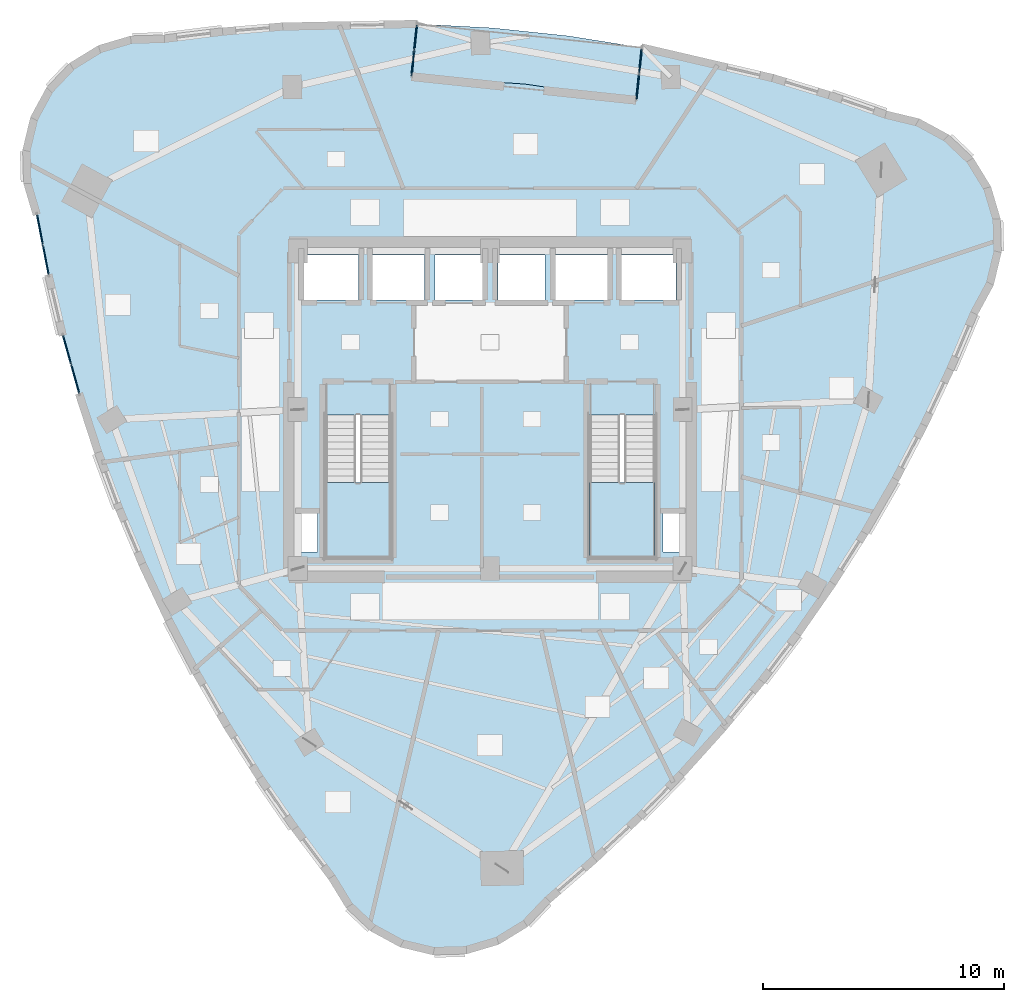
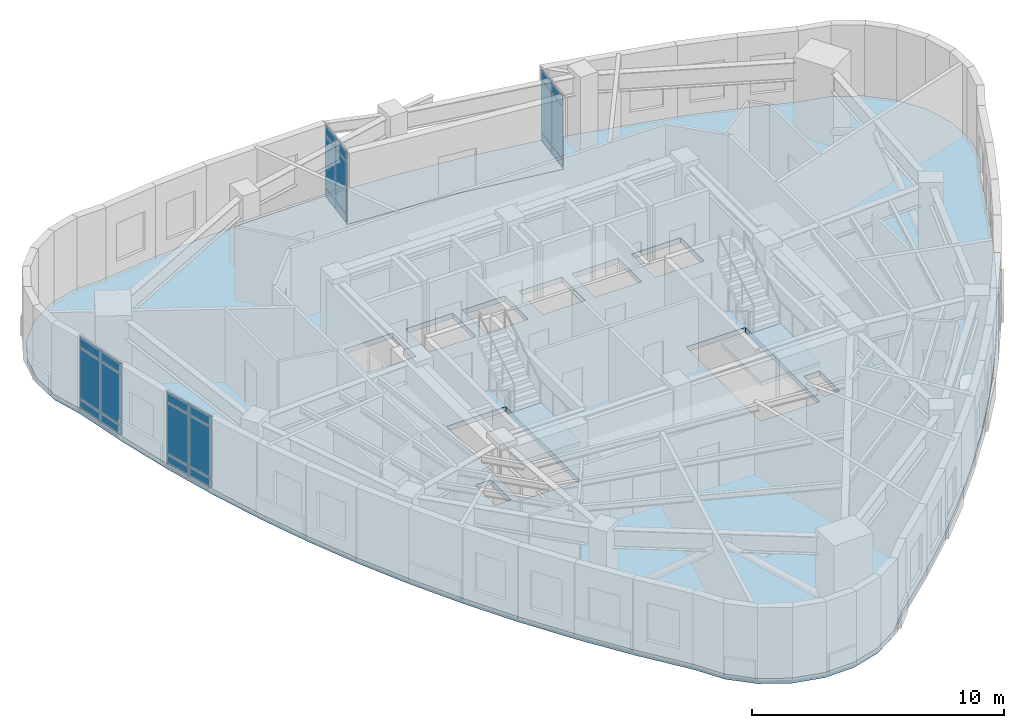
# One storey, part 8 of 16: 24 plates, 4 slabs, 6 elements without a shape of their own.
"""IFC4 building model written with IfcOpenShell, lengths in metres."""

import ifcopenshell
import ifcopenshell.guid

model = None  # the IFC model being written
_history = None  # IfcOwnerHistory: only IFC2X3 demands one
_inside = {}  # id of a spatial element -> (the spatial element, [elements in it])
_under = {}  # id of a project, library or spatial element -> (it, [spatial elements below it])
_declared = {}  # id of a project -> (the project, [libraries it declares])
_typed = {}  # id of a type object -> (the type object, [elements of that type])
_made_of = {}  # id of a material, layer set ... -> (it, [elements and type objects made of it])


def new_model(schema):
    """Start an empty IFC model of exactly this schema.

    Asked for "IFC4X3", IfcOpenShell would pick the latest addendum, in which some entities
    have other attributes; the version numbers below select the first issue.
    IFC2X3 requires an IfcOwnerHistory on every rooted entity: one is made here for all.
    """
    global model, _history
    if schema == "IFC4X3":
        model = ifcopenshell.file(schema_version=(4, 3, 0, 0))
    else:
        model = ifcopenshell.file(schema=schema)
    _inside.clear()
    _under.clear()
    _declared.clear()
    _typed.clear()
    _made_of.clear()
    _history = None
    if model.schema == "IFC2X3":
        org = make("IfcOrganization", Name="unknown")
        user = make(
            "IfcPersonAndOrganization",
            ThePerson=make("IfcPerson", FamilyName="unknown"),
            TheOrganization=org,
        )
        app = make(
            "IfcApplication",
            ApplicationDeveloper=org,
            Version="unknown",
            ApplicationFullName="unknown",
            ApplicationIdentifier="unknown",
        )
        _history = make(
            "IfcOwnerHistory",
            OwningUser=user,
            OwningApplication=app,
            ChangeAction="ADDED",
            CreationDate=0,
        )
    return model


def make(cls, **values):
    """One entity of the class cls with the attributes given. An attribute that is None is left unset."""
    return model.create_entity(
        cls, **{name: value for name, value in values.items() if value is not None}
    )


def rooted(cls, **values):
    """An entity with a GlobalId (a new one), such as an element, a storey or a relation."""
    return make(cls, GlobalId=ifcopenshell.guid.new(), OwnerHistory=_history, **values)


def si_unit(unit_type, name, prefix=None):
    """IfcSIUnit, for example si_unit("LENGTHUNIT", "METRE", prefix="MILLI")."""
    return make("IfcSIUnit", UnitType=unit_type, Prefix=prefix, Name=name)


def assignment(units):
    """IfcUnitAssignment: the units of a project."""
    return None if units is None else make("IfcUnitAssignment", Units=units)


def point(xyz):
    """IfcCartesianPoint."""
    return None if xyz is None else make("IfcCartesianPoint", Coordinates=xyz)


def direction(xyz):
    """IfcDirection."""
    return None if xyz is None else make("IfcDirection", DirectionRatios=xyz)


def frame(location, z_axis=None, x_axis=None):
    """IfcAxis2Placement3D, a coordinate frame: its origin and axes. An axis left out is left unset."""
    return make(
        "IfcAxis2Placement3D",
        Location=point(location),
        Axis=direction(z_axis),
        RefDirection=direction(x_axis),
    )


def frame_2d(location, x_axis=None):
    """IfcAxis2Placement2D, a coordinate frame in the plane: its origin and x axis."""
    return make(
        "IfcAxis2Placement2D", Location=point(location), RefDirection=direction(x_axis)
    )


def origin():
    """The frame at (0, 0, 0) with its axes left unset."""
    return frame((0.0, 0.0, 0.0))


def origin_2d():
    """The frame at (0, 0) in the plane with its x axis left unset."""
    return frame_2d((0.0, 0.0))


def place(relative_to, where):
    """IfcLocalPlacement: puts the frame where relative to a parent placement (None: the world)."""
    return make(
        "IfcLocalPlacement", PlacementRelTo=relative_to, RelativePlacement=where
    )


def context(
    kind, dimensions, precision=None, world=None, true_north=None, identifier=None
):
    """IfcGeometricRepresentationContext, for example the 3D "Model" context."""
    return make(
        "IfcGeometricRepresentationContext",
        ContextIdentifier=identifier,
        ContextType=kind,
        CoordinateSpaceDimension=dimensions,
        Precision=precision,
        WorldCoordinateSystem=world,
        TrueNorth=true_north,
    )


def subcontext(parent, identifier, kind, view, scale=None):
    """IfcGeometricRepresentationSubContext, for example "Body" below "Model"."""
    return make(
        "IfcGeometricRepresentationSubContext",
        ContextIdentifier=identifier,
        ContextType=kind,
        ParentContext=parent,
        TargetScale=scale,
        TargetView=view,
    )


def project(units=None, contexts=None):
    """IfcProject with its units and contexts."""
    return rooted(
        "IfcProject",
        Name="project",
        RepresentationContexts=contexts,
        UnitsInContext=assignment(units),
    )


def spatial(cls, under=None, at=None, **own):
    """A site, building, storey or space (cls), placed at a placement, below another one or the project."""
    s = rooted(cls, ObjectPlacement=at, **own)
    if under is not None:
        _under.setdefault(under.id(), (under, []))[1].append(s)
    return s


def polyline(points):
    """IfcPolyline through the points."""
    return make("IfcPolyline", Points=[point(p) for p in points])


def profile(cls, at=None, kind="AREA", **sizes):
    """A parametric profile (cls). Its sizes go by their IFC names, for example OverallWidth=200.0."""
    return make(cls, ProfileType=kind, Position=at, **sizes)


def rectangle(**sizes):
    """IfcRectangleProfileDef."""
    return profile("IfcRectangleProfileDef", **sizes)


def outline(outer, holes=None, kind="AREA"):
    """IfcArbitraryClosedProfileDef: a profile drawn as a closed curve; with holes, ...WithVoids."""
    if holes is None:
        return make("IfcArbitraryClosedProfileDef", ProfileType=kind, OuterCurve=outer)
    return make(
        "IfcArbitraryProfileDefWithVoids",
        ProfileType=kind,
        OuterCurve=outer,
        InnerCurves=holes,
    )


def extrude(swept, where, along, depth):
    """IfcExtrudedAreaSolid: the profile swept, set in the frame where, extruded along a direction by depth."""
    return make(
        "IfcExtrudedAreaSolid",
        SweptArea=swept,
        Position=where,
        ExtrudedDirection=direction(along),
        Depth=depth,
    )


def shape(context_of_items, identifier, shape_type, items):
    """IfcShapeRepresentation: the items that make up one representation, for example the "Body"."""
    return make(
        "IfcShapeRepresentation",
        ContextOfItems=context_of_items,
        RepresentationIdentifier=identifier,
        RepresentationType=shape_type,
        Items=items,
    )


def material(Name=None, Category=None):
    """IfcMaterial."""
    return make("IfcMaterial", Name=Name, Category=Category)


def layer(
    of_material, thickness, ventilated=None, Name=None, Category=None, Priority=None
):
    """IfcMaterialLayer: one layer of a wall or slab, of a material (None: an air gap)."""
    return make(
        "IfcMaterialLayer",
        Material=of_material,
        LayerThickness=thickness,
        IsVentilated=ventilated,
        Name=Name,
        Category=Category,
        Priority=Priority,
    )


def layer_set(layers, Name=None):
    """IfcMaterialLayerSet."""
    return make("IfcMaterialLayerSet", MaterialLayers=layers, LayerSetName=Name)


def made_of(thing, what):
    """Note that an element or type object is made of a material, layer set ...; save() writes the relation."""
    if what is not None:
        _made_of.setdefault(what.id(), (what, []))[1].append(thing)
    return thing


def type_object(cls, material=None, **own):
    """A type object (cls), such as IfcWallType, which elements share."""
    return made_of(rooted(cls, **own), material)


def element(
    cls,
    number,
    at=None,
    inside=None,
    cuts=None,
    type_object=None,
    material=None,
    context=None,
    identifier="Body",
    shape_type=None,
    held_by="IfcProductDefinitionShape",
    body=None,
    shapes=None,
    **own,
):
    """One element of the class cls, such as IfcWall. Its Tag is "e" and its number.

    at: its placement. inside: the storey or other place that contains it. cuts: it is an
    opening in that element (IfcRelVoidsElement). A single representation is given by context,
    identifier, shape_type and body (its items); several are given by shapes. held_by: the class
    of the entity that holds the representations. save() writes the other relations.
    """
    e = rooted(cls, Tag="e%d" % number, ObjectPlacement=at, **own)
    if body is not None:
        shapes = [shape(context, identifier, shape_type, body)]
    if shapes is not None:
        e.Representation = make(held_by, Representations=shapes)
    if inside is not None:
        _inside.setdefault(inside.id(), (inside, []))[1].append(e)
    if cuts is not None:
        rooted(
            "IfcRelVoidsElement", RelatingBuildingElement=cuts, RelatedOpeningElement=e
        )
    if type_object is not None:
        _typed.setdefault(type_object.id(), (type_object, []))[1].append(e)
    return made_of(e, material)


def aggregate(whole, parts):
    """IfcRelAggregates: a whole, such as a stair, and the parts it consists of."""
    return rooted("IfcRelAggregates", RelatingObject=whole, RelatedObjects=parts)


def save(model, path):
    """Write the relations noted so far, then the file.

    IfcRelAggregates (storeys below a building ...), IfcRelContainedInSpatialStructure (elements
    in a storey), IfcRelDefinesByType, IfcRelAssociatesMaterial and IfcRelDeclares: one each for
    every whole, place, type object, material and project.
    """
    for whole, parts in _under.values():
        aggregate(whole, parts)
    for where, things in _inside.values():
        rooted(
            "IfcRelContainedInSpatialStructure",
            RelatedElements=things,
            RelatingStructure=where,
        )
    for kind, things in _typed.values():
        rooted("IfcRelDefinesByType", RelatedObjects=things, RelatingType=kind)
    for what, things in _made_of.values():
        rooted("IfcRelAssociatesMaterial", RelatedObjects=things, RelatingMaterial=what)
    for by, libraries in _declared.values():
        rooted("IfcRelDeclares", RelatingContext=by, RelatedDefinitions=libraries)
    model.write(path)


model = new_model("IFC4")

# Units and contexts
model_context = context("Model", 3, precision=1e-05, world=origin(), true_north=direction((0.0, 1.0)))
body_context = subcontext(model_context, "Body", "Model", "MODEL_VIEW")
ifc_project = project(units=[si_unit("LENGTHUNIT", "METRE"), si_unit("AREAUNIT", "SQUARE_METRE"), si_unit("VOLUMEUNIT", "CUBIC_METRE"), si_unit("PLANEANGLEUNIT", "RADIAN"), si_unit("MASSUNIT", "GRAM", prefix="KILO")], contexts=[model_context])

# Site, building, storey
site_placement = place(None, origin())
site = spatial("IfcSite", under=ifc_project, at=site_placement, CompositionType="ELEMENT")
building_placement = place(site_placement, origin())
building = spatial("IfcBuilding", under=site, at=building_placement, Name="Ndelora Gate Hotel", CompositionType="ELEMENT")
storey_placement = place(building_placement, frame((0.0, 0.0, 182.75)))
storey = spatial("IfcBuildingStorey", under=building, at=storey_placement, Name="L45", CompositionType="ELEMENT", Elevation=182.75)

# Curtain wall, plates
ifc_material_1 = material(Name="Bronze Anodised Unitised Aluminium and Low-E Glass", Category="aluminium")
ifc_layer_1 = layer(ifc_material_1, 0.199951171875)
ifc_layer_set_1 = layer_set([ifc_layer_1], Name="Bronze Anodised Unitised Aluminium and Low-E Glass")
curtain_wall_type_1 = type_object("IfcCurtainWallType", Name="CW-SYS-3", PredefinedType="NOTDEFINED", material=ifc_layer_set_1)
curtain_wall_1_placement = place(storey_placement, origin())
curtain_wall_1 = element("IfcCurtainWall", 1, at=curtain_wall_1_placement, inside=storey, type_object=curtain_wall_type_1, Name="L45 Sky-Garden Loggia Side Curtain Wall CW3-1", PredefinedType="NOTDEFINED")
ifc_material_2 = material(Name="Solar-Control Low-E Insulated Glazing", Category="glass")
ifc_layer_2 = layer(ifc_material_2, 0.048095703125)
ifc_layer_set_2 = layer_set([ifc_layer_2], Name="Solar-Control Low-E Insulated Glazing")
plate_type = type_object("IfcPlateType", Name="PL-CW-GLZ36", PredefinedType="CURTAIN_PANEL", material=ifc_layer_set_2)
plate_1_placement = place(storey_placement, frame((6.13720703125, 13.42822265625, 0.05908203125), z_axis=(0.0, 0.0, 1.0), x_axis=(0.104497862459, 0.994525111167, 0.0)))
plate_1 = element("IfcPlate", 2, at=plate_1_placement, type_object=plate_type, Name="CW3 panel 1.1", PredefinedType="CURTAIN_PANEL", context=body_context, shape_type="SweptSolid", body=[
    extrude(rectangle(XDim=1.014404296875, YDim=0.048095703125, at=origin_2d()), origin(), (0.0, 0.0, 1.0), 0.364501953125),
])
plate_2_placement = place(storey_placement, frame((6.13720703125, 13.42822265625, 0.4765625), z_axis=(0.0, 0.0, 1.0), x_axis=(0.104497862459, 0.994525111167, 0.0)))
plate_2 = element("IfcPlate", 3, at=plate_2_placement, type_object=plate_type, Name="CW3 panel 1.2", PredefinedType="CURTAIN_PANEL", context=body_context, shape_type="SweptSolid", body=[
    extrude(rectangle(XDim=1.014404296875, YDim=0.048095703125, at=origin_2d()), origin(), (0.0, 0.0, 1.0), 2.4970703125),
])
plate_3_placement = place(storey_placement, frame((6.13720703125, 13.42822265625, 3.0263671875), z_axis=(0.0, 0.0, 1.0), x_axis=(0.104497862459, 0.994525111167, 0.0)))
plate_3 = element("IfcPlate", 4, at=plate_3_placement, type_object=plate_type, Name="CW3 panel 1.3", PredefinedType="CURTAIN_PANEL", context=body_context, shape_type="SweptSolid", body=[
    extrude(rectangle(XDim=1.014404296875, YDim=0.048095703125, at=origin_2d()), origin(), (0.0, 0.0, 1.0), 0.464599609375),
])
plate_4_placement = place(storey_placement, frame((6.248779296875, 14.48974609375, 0.05908203125), z_axis=(0.0, 0.0, 1.0), x_axis=(0.104497862459, 0.994525111167, 0.0)))
plate_4 = element("IfcPlate", 5, at=plate_4_placement, type_object=plate_type, Name="CW3 panel 2.1", PredefinedType="CURTAIN_PANEL", context=body_context, shape_type="SweptSolid", body=[
    extrude(rectangle(XDim=1.014404296875, YDim=0.048095703125, at=origin_2d()), origin(), (0.0, 0.0, 1.0), 0.364501953125),
])
plate_5_placement = place(storey_placement, frame((6.248779296875, 14.48974609375, 0.4765625), z_axis=(0.0, 0.0, 1.0), x_axis=(0.104497862459, 0.994525111167, 0.0)))
plate_5 = element("IfcPlate", 6, at=plate_5_placement, type_object=plate_type, Name="CW3 panel 2.2", PredefinedType="CURTAIN_PANEL", context=body_context, shape_type="SweptSolid", body=[
    extrude(rectangle(XDim=1.014404296875, YDim=0.048095703125, at=origin_2d()), origin(), (0.0, 0.0, 1.0), 2.4970703125),
])
plate_6_placement = place(storey_placement, frame((6.248779296875, 14.48974609375, 3.0263671875), z_axis=(0.0, 0.0, 1.0), x_axis=(0.104497862459, 0.994525111167, 0.0)))
plate_6 = element("IfcPlate", 7, at=plate_6_placement, type_object=plate_type, Name="CW3 panel 2.3", PredefinedType="CURTAIN_PANEL", context=body_context, shape_type="SweptSolid", body=[
    extrude(rectangle(XDim=1.014404296875, YDim=0.048095703125, at=origin_2d()), origin(), (0.0, 0.0, 1.0), 0.464599609375),
])
aggregate(curtain_wall_1, [plate_1, plate_2, plate_3, plate_4, plate_5, plate_6])

curtain_wall_2_placement = place(storey_placement, origin())
curtain_wall_2 = element("IfcCurtainWall", 8, at=curtain_wall_2_placement, inside=storey, type_object=curtain_wall_type_1, Name="L45 Sky-Garden Loggia Side Curtain Wall CW3-2", PredefinedType="NOTDEFINED")
plate_7_placement = place(storey_placement, frame((-3.099609375, 15.472412109375, 0.05908203125), z_axis=(0.0, 0.0, 1.0), x_axis=(-0.104497862459, -0.994525111167, 0.0)))
plate_7 = element("IfcPlate", 9, at=plate_7_placement, type_object=plate_type, Name="CW3 panel 1.1", PredefinedType="CURTAIN_PANEL", context=body_context, shape_type="SweptSolid", body=[
    extrude(rectangle(XDim=1.014404296875, YDim=0.048095703125, at=origin_2d()), origin(), (0.0, 0.0, 1.0), 0.364501953125),
])
plate_8_placement = place(storey_placement, frame((-3.099609375, 15.472412109375, 0.4765625), z_axis=(0.0, 0.0, 1.0), x_axis=(-0.104497862459, -0.994525111167, 0.0)))
plate_8 = element("IfcPlate", 10, at=plate_8_placement, type_object=plate_type, Name="CW3 panel 1.2", PredefinedType="CURTAIN_PANEL", context=body_context, shape_type="SweptSolid", body=[
    extrude(rectangle(XDim=1.014404296875, YDim=0.048095703125, at=origin_2d()), origin(), (0.0, 0.0, 1.0), 2.4970703125),
])
plate_9_placement = place(storey_placement, frame((-3.099609375, 15.472412109375, 3.0263671875), z_axis=(0.0, 0.0, 1.0), x_axis=(-0.104497862459, -0.994525111167, 0.0)))
plate_9 = element("IfcPlate", 11, at=plate_9_placement, type_object=plate_type, Name="CW3 panel 1.3", PredefinedType="CURTAIN_PANEL", context=body_context, shape_type="SweptSolid", body=[
    extrude(rectangle(XDim=1.014404296875, YDim=0.048095703125, at=origin_2d()), origin(), (0.0, 0.0, 1.0), 0.464599609375),
])
plate_10_placement = place(storey_placement, frame((-3.211181640625, 14.41064453125, 0.05908203125), z_axis=(0.0, 0.0, 1.0), x_axis=(-0.104497862459, -0.994525111167, 0.0)))
plate_10 = element("IfcPlate", 12, at=plate_10_placement, type_object=plate_type, Name="CW3 panel 2.1", PredefinedType="CURTAIN_PANEL", context=body_context, shape_type="SweptSolid", body=[
    extrude(rectangle(XDim=1.014404296875, YDim=0.048095703125, at=origin_2d()), origin(), (0.0, 0.0, 1.0), 0.364501953125),
])
plate_11_placement = place(storey_placement, frame((-3.211181640625, 14.41064453125, 0.4765625), z_axis=(0.0, 0.0, 1.0), x_axis=(-0.104497862459, -0.994525111167, 0.0)))
plate_11 = element("IfcPlate", 13, at=plate_11_placement, type_object=plate_type, Name="CW3 panel 2.2", PredefinedType="CURTAIN_PANEL", context=body_context, shape_type="SweptSolid", body=[
    extrude(rectangle(XDim=1.014404296875, YDim=0.048095703125, at=origin_2d()), origin(), (0.0, 0.0, 1.0), 2.4970703125),
])
plate_12_placement = place(storey_placement, frame((-3.211181640625, 14.41064453125, 3.0263671875), z_axis=(0.0, 0.0, 1.0), x_axis=(-0.104497862459, -0.994525111167, 0.0)))
plate_12 = element("IfcPlate", 14, at=plate_12_placement, type_object=plate_type, Name="CW3 panel 2.3", PredefinedType="CURTAIN_PANEL", context=body_context, shape_type="SweptSolid", body=[
    extrude(rectangle(XDim=1.014404296875, YDim=0.048095703125, at=origin_2d()), origin(), (0.0, 0.0, 1.0), 0.464599609375),
])
aggregate(curtain_wall_2, [plate_7, plate_8, plate_9, plate_10, plate_11, plate_12])

ifc_layer_3 = layer(ifc_material_1, 0.2099609375)
ifc_layer_set_3 = layer_set([ifc_layer_3], Name="Bronze Anodised Unitised Aluminium and Low-E Glass")
curtain_wall_type_2 = type_object("IfcCurtainWallType", Name="CW-SYS-5", PredefinedType="NOTDEFINED", material=ifc_layer_set_3)
curtain_wall_3_placement = place(storey_placement, origin())
curtain_wall_3 = element("IfcCurtainWall", 15, at=curtain_wall_3_placement, inside=storey, type_object=curtain_wall_type_2, Name="L45 Upper Sky-Lobby & Altitude Fitness Curtain Wall 1", PredefinedType="NOTDEFINED")
plate_13_placement = place(storey_placement, frame((-18.725830078125, 7.4892578125, 0.05908203125), z_axis=(0.0, 0.0, 1.0), x_axis=(0.190868638168, -0.981615588183, 0.0)))
plate_13 = element("IfcPlate", 16, at=plate_13_placement, type_object=plate_type, Name="CW5 panel 1.1", PredefinedType="CURTAIN_PANEL", context=body_context, shape_type="SweptSolid", body=[
    extrude(rectangle(XDim=1.225341796875, YDim=0.048095703125, at=origin_2d()), origin(), (0.0, 0.0, 1.0), 0.41455078125),
])
plate_14_placement = place(storey_placement, frame((-18.725830078125, 7.4892578125, 0.5263671875), z_axis=(0.0, 0.0, 1.0), x_axis=(0.190868638168, -0.981615588183, 0.0)))
plate_14 = element("IfcPlate", 17, at=plate_14_placement, type_object=plate_type, Name="CW5 panel 1.2", PredefinedType="CURTAIN_PANEL", context=body_context, shape_type="SweptSolid", body=[
    extrude(rectangle(XDim=1.225341796875, YDim=0.048095703125, at=origin_2d()), origin(), (0.0, 0.0, 1.0), 2.447021484375),
])
plate_15_placement = place(storey_placement, frame((-18.725830078125, 7.4892578125, 3.0263671875), z_axis=(0.0, 0.0, 1.0), x_axis=(0.190868638168, -0.981615588183, 0.0)))
plate_15 = element("IfcPlate", 18, at=plate_15_placement, type_object=plate_type, Name="CW5 panel 1.3", PredefinedType="CURTAIN_PANEL", context=body_context, shape_type="SweptSolid", body=[
    extrude(rectangle(XDim=1.225341796875, YDim=0.048095703125, at=origin_2d()), origin(), (0.0, 0.0, 1.0), 0.464599609375),
])
plate_16_placement = place(storey_placement, frame((-18.481689453125, 6.234619140625, 0.05908203125), z_axis=(0.0, 0.0, 1.0), x_axis=(0.190868638168, -0.981615588183, 0.0)))
plate_16 = element("IfcPlate", 19, at=plate_16_placement, type_object=plate_type, Name="CW5 panel 2.1", PredefinedType="CURTAIN_PANEL", context=body_context, shape_type="SweptSolid", body=[
    extrude(rectangle(XDim=1.225341796875, YDim=0.048095703125, at=origin_2d()), origin(), (0.0, 0.0, 1.0), 0.41455078125),
])
plate_17_placement = place(storey_placement, frame((-18.481689453125, 6.234619140625, 0.5263671875), z_axis=(0.0, 0.0, 1.0), x_axis=(0.190868638168, -0.981615588183, 0.0)))
plate_17 = element("IfcPlate", 20, at=plate_17_placement, type_object=plate_type, Name="CW5 panel 2.2", PredefinedType="CURTAIN_PANEL", context=body_context, shape_type="SweptSolid", body=[
    extrude(rectangle(XDim=1.225341796875, YDim=0.048095703125, at=origin_2d()), origin(), (0.0, 0.0, 1.0), 2.447021484375),
])
plate_18_placement = place(storey_placement, frame((-18.481689453125, 6.234619140625, 3.0263671875), z_axis=(0.0, 0.0, 1.0), x_axis=(0.190868638168, -0.981615588183, 0.0)))
plate_18 = element("IfcPlate", 21, at=plate_18_placement, type_object=plate_type, Name="CW5 panel 2.3", PredefinedType="CURTAIN_PANEL", context=body_context, shape_type="SweptSolid", body=[
    extrude(rectangle(XDim=1.225341796875, YDim=0.048095703125, at=origin_2d()), origin(), (0.0, 0.0, 1.0), 0.464599609375),
])
aggregate(curtain_wall_3, [plate_13, plate_14, plate_15, plate_16, plate_17, plate_18])

curtain_wall_4_placement = place(storey_placement, origin())
curtain_wall_4 = element("IfcCurtainWall", 22, at=curtain_wall_4_placement, inside=storey, type_object=curtain_wall_type_2, Name="L45 Upper Sky-Lobby & Altitude Fitness Curtain Wall 2", PredefinedType="NOTDEFINED")
plate_19_placement = place(storey_placement, frame((-17.594970703125, 2.485595703125, 0.05908203125), z_axis=(0.0, 0.0, 1.0), x_axis=(0.269680191355, -0.962949943866, 0.0)))
plate_19 = element("IfcPlate", 23, at=plate_19_placement, type_object=plate_type, Name="CW5 panel 1.1", PredefinedType="CURTAIN_PANEL", context=body_context, shape_type="SweptSolid", body=[
    extrude(rectangle(XDim=1.205810546875, YDim=0.048095703125, at=origin_2d()), origin(), (0.0, 0.0, 1.0), 0.41455078125),
])
plate_20_placement = place(storey_placement, frame((-17.594970703125, 2.485595703125, 0.5263671875), z_axis=(0.0, 0.0, 1.0), x_axis=(0.269680191355, -0.962949943866, 0.0)))
plate_20 = element("IfcPlate", 24, at=plate_20_placement, type_object=plate_type, Name="CW5 panel 1.2", PredefinedType="CURTAIN_PANEL", context=body_context, shape_type="SweptSolid", body=[
    extrude(rectangle(XDim=1.205810546875, YDim=0.048095703125, at=origin_2d()), origin(), (0.0, 0.0, 1.0), 2.447021484375),
])
plate_21_placement = place(storey_placement, frame((-17.594970703125, 2.485595703125, 3.0263671875), z_axis=(0.0, 0.0, 1.0), x_axis=(0.269680191355, -0.962949943866, 0.0)))
plate_21 = element("IfcPlate", 25, at=plate_21_placement, type_object=plate_type, Name="CW5 panel 1.3", PredefinedType="CURTAIN_PANEL", context=body_context, shape_type="SweptSolid", body=[
    extrude(rectangle(XDim=1.205810546875, YDim=0.048095703125, at=origin_2d()), origin(), (0.0, 0.0, 1.0), 0.464599609375),
])
plate_22_placement = place(storey_placement, frame((-17.255615234375, 1.273193359375, 0.05908203125), z_axis=(0.0, 0.0, 1.0), x_axis=(0.269680191355, -0.962949943866, 0.0)))
plate_22 = element("IfcPlate", 26, at=plate_22_placement, type_object=plate_type, Name="CW5 panel 2.1", PredefinedType="CURTAIN_PANEL", context=body_context, shape_type="SweptSolid", body=[
    extrude(rectangle(XDim=1.205810546875, YDim=0.048095703125, at=origin_2d()), origin(), (0.0, 0.0, 1.0), 0.41455078125),
])
plate_23_placement = place(storey_placement, frame((-17.255615234375, 1.273193359375, 0.5263671875), z_axis=(0.0, 0.0, 1.0), x_axis=(0.269680191355, -0.962949943866, 0.0)))
plate_23 = element("IfcPlate", 27, at=plate_23_placement, type_object=plate_type, Name="CW5 panel 2.2", PredefinedType="CURTAIN_PANEL", context=body_context, shape_type="SweptSolid", body=[
    extrude(rectangle(XDim=1.205810546875, YDim=0.048095703125, at=origin_2d()), origin(), (0.0, 0.0, 1.0), 2.447021484375),
])
plate_24_placement = place(storey_placement, frame((-17.255615234375, 1.273193359375, 3.0263671875), z_axis=(0.0, 0.0, 1.0), x_axis=(0.269680191355, -0.962949943866, 0.0)))
plate_24 = element("IfcPlate", 28, at=plate_24_placement, type_object=plate_type, Name="CW5 panel 2.3", PredefinedType="CURTAIN_PANEL", context=body_context, shape_type="SweptSolid", body=[
    extrude(rectangle(XDim=1.205810546875, YDim=0.048095703125, at=origin_2d()), origin(), (0.0, 0.0, 1.0), 0.464599609375),
])
aggregate(curtain_wall_4, [plate_19, plate_20, plate_21, plate_22, plate_23, plate_24])

# Stair, slab
ifc_material_3 = material(Name="Precast concrete C40/50", Category="concrete")
stair_type = type_object("IfcStairType", Name="STR-DOG-CORE", PredefinedType="HALF_TURN_STAIR", material=ifc_material_3)
stair_1_placement = place(storey_placement, origin())
stair_1 = element("IfcStair", 29, at=stair_1_placement, inside=storey, type_object=stair_type, Name="L45 Protected Core Exit Stair ST4", PredefinedType="HALF_TURN_STAIR")
ifc_layer_4 = layer(ifc_material_3, 0.219970703125)
ifc_layer_set_4 = layer_set([ifc_layer_4], Name="Precast concrete C40/50")
slab_type_1 = type_object("IfcSlabType", Name="SL-LAND-220", PredefinedType="LANDING", material=ifc_layer_set_4)
slab_1_placement = place(storey_placement, frame((0.0, 0.0, 1.699951171875)))
slab_1 = element("IfcSlab", 30, at=slab_1_placement, type_object=slab_type_1, Name="ST4 landing 1", PredefinedType="LANDING", context=body_context, shape_type="SweptSolid", body=[
    extrude(outline(polyline([(-6.85009765625, -3.030029296875), (-6.85009765625, -6.14990234375), (-4.1298828125, -6.14990234375), (-4.1298828125, -3.030029296875), (-6.85009765625, -3.030029296875)])), origin(), (0.0, 0.0, 1.0), 0.199951171875),
])
aggregate(stair_1, [slab_1])

stair_2_placement = place(storey_placement, origin())
stair_2 = element("IfcStair", 31, at=stair_2_placement, inside=storey, type_object=stair_type, Name="L45 Protected Core Exit Stair ST5", PredefinedType="HALF_TURN_STAIR")
slab_2_placement = place(storey_placement, frame((0.0, 0.0, 1.699951171875)))
slab_2 = element("IfcSlab", 32, at=slab_2_placement, type_object=slab_type_1, Name="ST5 landing 1", PredefinedType="LANDING", context=body_context, shape_type="SweptSolid", body=[
    extrude(outline(polyline([(4.1298828125, -3.030029296875), (4.1298828125, -6.14990234375), (6.85009765625, -6.14990234375), (6.85009765625, -3.030029296875), (4.1298828125, -3.030029296875)])), origin(), (0.0, 0.0, 1.0), 0.199951171875),
])
aggregate(stair_2, [slab_2])

# Slabs
ifc_layer_5 = layer(ifc_material_3, 0.239990234375)
ifc_layer_set_5 = layer_set([ifc_layer_5], Name="Precast concrete C40/50")
slab_type_2 = type_object("IfcSlabType", Name="SL-TER-240", PredefinedType="FLOOR", material=ifc_layer_set_5)
slab_3_placement = place(storey_placement, frame((0.0, 0.0, -0.239990234375)))
element("IfcSlab", 33, at=slab_3_placement, inside=storey, type_object=slab_type_2, Name="L45 Sky Garden Loggia Terrace Slab", PredefinedType="FLOOR", context=body_context, shape_type="SweptSolid", body=[
    extrude(outline(polyline([(6.078125, 12.864990234375), (6.30810546875, 15.052978515625), (3.239990234375, 15.539306640625), (0.0615234375, 15.873291015625), (-3.04052734375, 16.03564453125), (-3.2705078125, 13.84765625), (1.423095703125, 13.53955078125), (6.078125, 12.864990234375)])), origin(), (0.0, 0.0, 1.0), 0.239990234375),
])
ifc_material_4 = material(Name="Concrete C40/50", Category="concrete")
ifc_layer_6 = layer(ifc_material_4, 0.25)
ifc_layer_set_6 = layer_set([ifc_layer_6], Name="Concrete C40/50")
slab_type_3 = type_object("IfcSlabType", Name="SL-TWR-250", PredefinedType="FLOOR", material=ifc_layer_set_6)
slab_4_placement = place(storey_placement, frame((0.0, 0.0, -0.25)))
element("IfcSlab", 34, at=slab_4_placement, inside=storey, type_object=slab_type_3, Name="L45 Structural Floor Slab", PredefinedType="FLOOR", context=body_context, shape_type="SweptSolid", body=[
    extrude(outline(polyline([(-13.55615234375, 15.41552734375), (-14.9130859375, 15.380126953125), (-16.21484375, 14.994384765625), (-17.372314453125, 14.28515625), (-18.306640625, 13.300537109375), (-18.954345703125, 12.107666015625), (-19.271240234375, 10.78759765625), (-19.23583984375, 9.4306640625), (-18.85009765625, 8.129150390625), (-18.357421875, 5.5947265625), (-17.768310546875, 3.103515625), (-17.08251953125, 0.6552734375), (-16.30029296875, -1.750244140625), (-15.421875, -4.112548828125), (-14.447021484375, -6.43212890625), (-13.37548828125, -8.708740234375), (-12.207763671875, -10.9423828125), (-10.943603515625, -13.13330078125), (-9.582763671875, -15.281005859375), (-8.125732421875, -17.385986328125), (-6.572265625, -19.44775390625), (-5.86279296875, -20.605224609375), (-4.878173828125, -21.539794921875), (-3.685302734375, -22.1875), (-2.365234375, -22.50439453125), (-1.00830078125, -22.46875), (0.293212890625, -22.083251953125), (1.45068359375, -21.3740234375), (2.385009765625, -20.389404296875), (4.33349609375, -18.6953125), (6.1962890625, -16.939453125), (7.973876953125, -15.12158203125), (9.666015625, -13.241455078125), (11.272705078125, -11.29931640625), (12.7939453125, -9.29541015625), (14.229736328125, -7.229248046875), (15.580322265625, -5.10107421875), (16.845458984375, -2.91064453125), (18.025146484375, -0.658447265625), (19.119384765625, 1.656005859375), (20.12841796875, 4.0322265625), (20.776123046875, 5.22509765625), (21.093017578125, 6.545166015625), (21.0576171875, 7.902099609375), (20.672119140625, 9.203857421875), (19.962646484375, 10.361083984375), (18.97802734375, 11.295654296875), (17.784912109375, 11.943359375), (16.465087890625, 12.26025390625), (14.121826171875, 13.069091796875), (11.768310546875, 13.781005859375), (6.30810546875, 15.052978515625), (6.078125, 12.864990234375), (1.423095703125, 13.53955078125), (-3.2705078125, 13.84765625), (-3.04052734375, 16.03564453125), (-8.64599609375, 15.926513671875), (-11.09619140625, 15.719482421875), (-13.55615234375, 15.41552734375)]), holes=[polyline([(-6.85009765625, -0.22998046875), (-6.85009765625, -6.14990234375), (-4.1298828125, -6.14990234375), (-4.1298828125, -0.22998046875), (-6.85009765625, -0.22998046875)]), polyline([(4.1298828125, -0.22998046875), (4.1298828125, -6.14990234375), (6.85009765625, -6.14990234375), (6.85009765625, -0.22998046875), (4.1298828125, -0.22998046875)]), polyline([(-7.72998046875, 4.570068359375), (-5.469970703125, 4.570068359375), (-5.469970703125, 6.429931640625), (-7.72998046875, 6.429931640625), (-7.72998046875, 4.570068359375)]), polyline([(5.469970703125, 4.570068359375), (7.72998046875, 4.570068359375), (7.72998046875, 6.429931640625), (5.469970703125, 6.429931640625), (5.469970703125, 4.570068359375)]), polyline([(-4.8798828125, 4.570068359375), (-2.719970703125, 4.570068359375), (-2.719970703125, 6.429931640625), (-4.8798828125, 6.429931640625), (-4.8798828125, 4.570068359375)]), polyline([(2.719970703125, 4.570068359375), (4.8798828125, 4.570068359375), (4.8798828125, 6.429931640625), (2.719970703125, 6.429931640625), (2.719970703125, 4.570068359375)]), polyline([(-2.280029296875, 4.570068359375), (-0.320068359375, 4.570068359375), (-0.320068359375, 6.429931640625), (-2.280029296875, 6.429931640625), (-2.280029296875, 4.570068359375)]), polyline([(0.320068359375, 4.570068359375), (2.280029296875, 4.570068359375), (2.280029296875, 6.429931640625), (0.320068359375, 6.429931640625), (0.320068359375, 4.570068359375)]), polyline([(-7.89990234375, -5.919921875), (-7.179931640625, -5.919921875), (-7.179931640625, -4.320068359375), (-7.89990234375, -4.320068359375), (-7.89990234375, -5.919921875)]), polyline([(7.179931640625, -5.919921875), (7.89990234375, -5.919921875), (7.89990234375, -4.320068359375), (7.179931640625, -4.320068359375), (7.179931640625, -5.919921875)])]), origin(), (0.0, 0.0, 1.0), 0.25),
])

save(model, "model.ifc")
